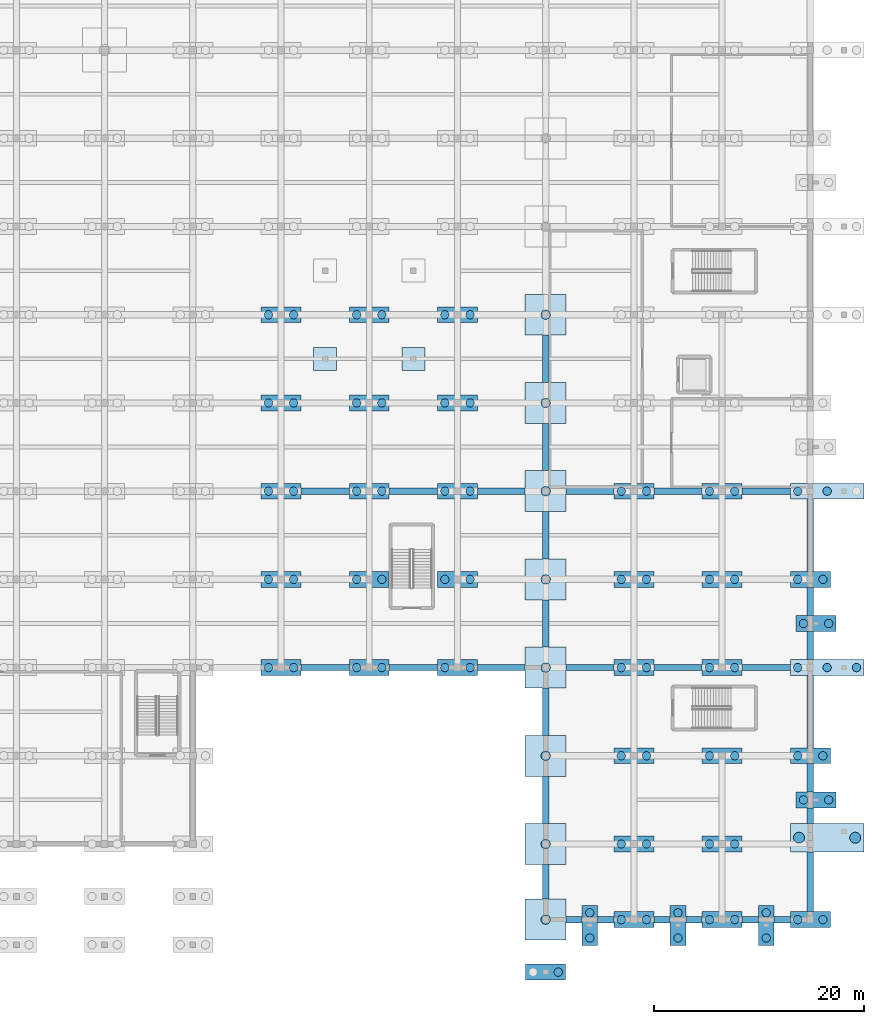
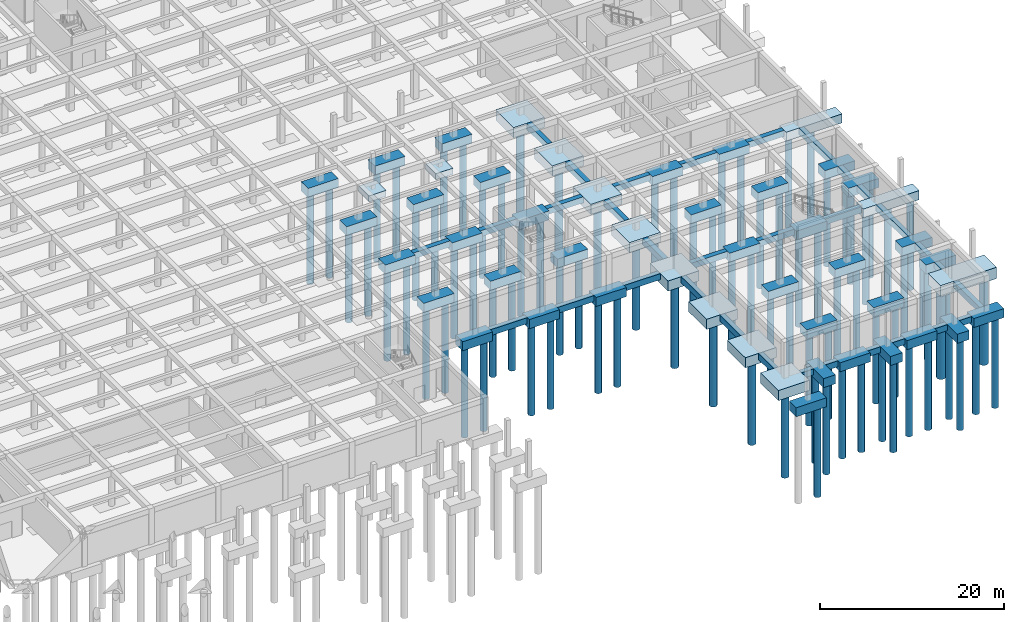
# One storey, part 5 of 51: 86 piles, 81 footings.
"""IFC4 building model written with IfcOpenShell, lengths in metres."""

import ifcopenshell
import ifcopenshell.guid

model = None  # the IFC model being written
_history = None  # IfcOwnerHistory: only IFC2X3 demands one
_inside = {}  # id of a spatial element -> (the spatial element, [elements in it])
_under = {}  # id of a project, library or spatial element -> (it, [spatial elements below it])
_declared = {}  # id of a project -> (the project, [libraries it declares])
_typed = {}  # id of a type object -> (the type object, [elements of that type])
_made_of = {}  # id of a material, layer set ... -> (it, [elements and type objects made of it])


def new_model(schema):
    """Start an empty IFC model of exactly this schema.

    Asked for "IFC4X3", IfcOpenShell would pick the latest addendum, in which some entities
    have other attributes; the version numbers below select the first issue.
    IFC2X3 requires an IfcOwnerHistory on every rooted entity: one is made here for all.
    """
    global model, _history
    if schema == "IFC4X3":
        model = ifcopenshell.file(schema_version=(4, 3, 0, 0))
    else:
        model = ifcopenshell.file(schema=schema)
    _inside.clear()
    _under.clear()
    _declared.clear()
    _typed.clear()
    _made_of.clear()
    _history = None
    if model.schema == "IFC2X3":
        org = make("IfcOrganization", Name="unknown")
        user = make(
            "IfcPersonAndOrganization",
            ThePerson=make("IfcPerson", FamilyName="unknown"),
            TheOrganization=org,
        )
        app = make(
            "IfcApplication",
            ApplicationDeveloper=org,
            Version="unknown",
            ApplicationFullName="unknown",
            ApplicationIdentifier="unknown",
        )
        _history = make(
            "IfcOwnerHistory",
            OwningUser=user,
            OwningApplication=app,
            ChangeAction="ADDED",
            CreationDate=0,
        )
    return model


def make(cls, **values):
    """One entity of the class cls with the attributes given. An attribute that is None is left unset."""
    return model.create_entity(
        cls, **{name: value for name, value in values.items() if value is not None}
    )


def rooted(cls, **values):
    """An entity with a GlobalId (a new one), such as an element, a storey or a relation."""
    return make(cls, GlobalId=ifcopenshell.guid.new(), OwnerHistory=_history, **values)


def si_unit(unit_type, name, prefix=None):
    """IfcSIUnit, for example si_unit("LENGTHUNIT", "METRE", prefix="MILLI")."""
    return make("IfcSIUnit", UnitType=unit_type, Prefix=prefix, Name=name)


def assignment(units):
    """IfcUnitAssignment: the units of a project."""
    return None if units is None else make("IfcUnitAssignment", Units=units)


def point(xyz):
    """IfcCartesianPoint."""
    return None if xyz is None else make("IfcCartesianPoint", Coordinates=xyz)


def direction(xyz):
    """IfcDirection."""
    return None if xyz is None else make("IfcDirection", DirectionRatios=xyz)


def frame(location, z_axis=None, x_axis=None):
    """IfcAxis2Placement3D, a coordinate frame: its origin and axes. An axis left out is left unset."""
    return make(
        "IfcAxis2Placement3D",
        Location=point(location),
        Axis=direction(z_axis),
        RefDirection=direction(x_axis),
    )


def frame_2d(location, x_axis=None):
    """IfcAxis2Placement2D, a coordinate frame in the plane: its origin and x axis."""
    return make(
        "IfcAxis2Placement2D", Location=point(location), RefDirection=direction(x_axis)
    )


def origin():
    """The frame at (0, 0, 0) with its axes left unset."""
    return frame((0.0, 0.0, 0.0))


def origin_2d():
    """The frame at (0, 0) in the plane with its x axis left unset."""
    return frame_2d((0.0, 0.0))


def place(relative_to, where):
    """IfcLocalPlacement: puts the frame where relative to a parent placement (None: the world)."""
    return make(
        "IfcLocalPlacement", PlacementRelTo=relative_to, RelativePlacement=where
    )


def context(
    kind, dimensions, precision=None, world=None, true_north=None, identifier=None
):
    """IfcGeometricRepresentationContext, for example the 3D "Model" context."""
    return make(
        "IfcGeometricRepresentationContext",
        ContextIdentifier=identifier,
        ContextType=kind,
        CoordinateSpaceDimension=dimensions,
        Precision=precision,
        WorldCoordinateSystem=world,
        TrueNorth=true_north,
    )


def subcontext(parent, identifier, kind, view, scale=None):
    """IfcGeometricRepresentationSubContext, for example "Body" below "Model"."""
    return make(
        "IfcGeometricRepresentationSubContext",
        ContextIdentifier=identifier,
        ContextType=kind,
        ParentContext=parent,
        TargetScale=scale,
        TargetView=view,
    )


def project(units=None, contexts=None):
    """IfcProject with its units and contexts."""
    return rooted(
        "IfcProject",
        Name="project",
        RepresentationContexts=contexts,
        UnitsInContext=assignment(units),
    )


def spatial(cls, under=None, at=None, **own):
    """A site, building, storey or space (cls), placed at a placement, below another one or the project."""
    s = rooted(cls, ObjectPlacement=at, **own)
    if under is not None:
        _under.setdefault(under.id(), (under, []))[1].append(s)
    return s


def profile(cls, at=None, kind="AREA", **sizes):
    """A parametric profile (cls). Its sizes go by their IFC names, for example OverallWidth=200.0."""
    return make(cls, ProfileType=kind, Position=at, **sizes)


def rectangle(**sizes):
    """IfcRectangleProfileDef."""
    return profile("IfcRectangleProfileDef", **sizes)


def circle(**sizes):
    """IfcCircleProfileDef."""
    return profile("IfcCircleProfileDef", **sizes)


def extrude(swept, where, along, depth):
    """IfcExtrudedAreaSolid: the profile swept, set in the frame where, extruded along a direction by depth."""
    return make(
        "IfcExtrudedAreaSolid",
        SweptArea=swept,
        Position=where,
        ExtrudedDirection=direction(along),
        Depth=depth,
    )


def shape(context_of_items, identifier, shape_type, items):
    """IfcShapeRepresentation: the items that make up one representation, for example the "Body"."""
    return make(
        "IfcShapeRepresentation",
        ContextOfItems=context_of_items,
        RepresentationIdentifier=identifier,
        RepresentationType=shape_type,
        Items=items,
    )


def material(Name=None, Category=None):
    """IfcMaterial."""
    return make("IfcMaterial", Name=Name, Category=Category)


def material_profile(
    of_material, cross_section, Name=None, Category=None, Priority=None
):
    """IfcMaterialProfile: a cross section and its material."""
    return make(
        "IfcMaterialProfile",
        Name=Name,
        Material=of_material,
        Profile=cross_section,
        Priority=Priority,
        Category=Category,
    )


def profile_set(profiles, Name=None, composite=None):
    """IfcMaterialProfileSet."""
    return make(
        "IfcMaterialProfileSet",
        Name=Name,
        MaterialProfiles=profiles,
        CompositeProfile=composite,
    )


def made_of(thing, what):
    """Note that an element or type object is made of a material, layer set ...; save() writes the relation."""
    if what is not None:
        _made_of.setdefault(what.id(), (what, []))[1].append(thing)
    return thing


def type_object(cls, material=None, **own):
    """A type object (cls), such as IfcWallType, which elements share."""
    return made_of(rooted(cls, **own), material)


def element(
    cls,
    number,
    at=None,
    inside=None,
    cuts=None,
    type_object=None,
    material=None,
    context=None,
    identifier="Body",
    shape_type=None,
    held_by="IfcProductDefinitionShape",
    body=None,
    shapes=None,
    **own,
):
    """One element of the class cls, such as IfcWall. Its Tag is "e" and its number.

    at: its placement. inside: the storey or other place that contains it. cuts: it is an
    opening in that element (IfcRelVoidsElement). A single representation is given by context,
    identifier, shape_type and body (its items); several are given by shapes. held_by: the class
    of the entity that holds the representations. save() writes the other relations.
    """
    e = rooted(cls, Tag="e%d" % number, ObjectPlacement=at, **own)
    if body is not None:
        shapes = [shape(context, identifier, shape_type, body)]
    if shapes is not None:
        e.Representation = make(held_by, Representations=shapes)
    if inside is not None:
        _inside.setdefault(inside.id(), (inside, []))[1].append(e)
    if cuts is not None:
        rooted(
            "IfcRelVoidsElement", RelatingBuildingElement=cuts, RelatedOpeningElement=e
        )
    if type_object is not None:
        _typed.setdefault(type_object.id(), (type_object, []))[1].append(e)
    return made_of(e, material)


def aggregate(whole, parts):
    """IfcRelAggregates: a whole, such as a stair, and the parts it consists of."""
    return rooted("IfcRelAggregates", RelatingObject=whole, RelatedObjects=parts)


def save(model, path):
    """Write the relations noted so far, then the file.

    IfcRelAggregates (storeys below a building ...), IfcRelContainedInSpatialStructure (elements
    in a storey), IfcRelDefinesByType, IfcRelAssociatesMaterial and IfcRelDeclares: one each for
    every whole, place, type object, material and project.
    """
    for whole, parts in _under.values():
        aggregate(whole, parts)
    for where, things in _inside.values():
        rooted(
            "IfcRelContainedInSpatialStructure",
            RelatedElements=things,
            RelatingStructure=where,
        )
    for kind, things in _typed.values():
        rooted("IfcRelDefinesByType", RelatedObjects=things, RelatingType=kind)
    for what, things in _made_of.values():
        rooted("IfcRelAssociatesMaterial", RelatedObjects=things, RelatingMaterial=what)
    for by, libraries in _declared.values():
        rooted("IfcRelDeclares", RelatingContext=by, RelatedDefinitions=libraries)
    model.write(path)


model = new_model("IFC4")

# Units and contexts
model_context = context("Model", 3, precision=1e-05, world=origin(), true_north=direction((0.0, 1.0)))
body_context = subcontext(model_context, "Body", "Model", "MODEL_VIEW")
ifc_project = project(units=[si_unit("LENGTHUNIT", "METRE"), si_unit("AREAUNIT", "SQUARE_METRE"), si_unit("VOLUMEUNIT", "CUBIC_METRE"), si_unit("PLANEANGLEUNIT", "RADIAN"), si_unit("MASSUNIT", "GRAM", prefix="KILO")], contexts=[model_context])

# Site, building, storey
site_placement = place(None, origin())
site = spatial("IfcSite", under=ifc_project, at=site_placement, CompositionType="ELEMENT")
building_placement = place(site_placement, origin())
building = spatial("IfcBuilding", under=site, at=building_placement, Name="Varncliffe General Hospital", CompositionType="ELEMENT")
storey_placement = place(building_placement, frame((0.0, 0.0, -4.800048828125)))
storey = spatial("IfcBuildingStorey", under=building, at=storey_placement, Name="B1", CompositionType="ELEMENT", Elevation=-4.800048828125)

# Piles
ifc_material = material(Name="Concrete C40/50 (CSA A23.1 40 MPa)", Category="concrete")
ifc_material_profile_1 = material_profile(ifc_material, circle(Radius=0.39990234375, at=origin_2d()), Name="BORED PILE 800")
ifc_profile_set_1 = profile_set([ifc_material_profile_1], Name="Concrete C40/50 (CSA A23.1 40 MPa)")
pile_type_1 = type_object("IfcPileType", Name="Bored Caisson Pile P13 (BORED PILE 800)", PredefinedType="BORED", material=ifc_profile_set_1)
for number, where, z_axis, x_axis, name in (
    (1, (152.39990234375, -5.0, -1.050048828125), (0.0, 0.0, -1.0), (1.0, 0.0, 0.0), "B1 Bored Pile P13 (PC-B1-003-2)"),
    (2, (155.39990234375, -1.75, -1.050048828125), (0.0, 0.0, -1.0), (1.0, 0.0, 0.0), "B1 Bored Pile P13 (PC-B1-011-1)"),
    (3, (155.39990234375, 0.64990234375, -1.050048828125), (0.0, 0.0, -1.0), (1.0, 0.0, 0.0), "B1 Bored Pile P13 (PC-B1-011-2)"),
    (4, (163.800048828125, -1.75, -1.050048828125), (0.0, 0.0, -1.0), (1.0, 0.0, 0.0), "B1 Bored Pile P13 (PC-B1-012-1)"),
    (5, (163.800048828125, 0.64990234375, -1.050048828125), (0.0, 0.0, -1.0), (1.0, 0.0, 0.0), "B1 Bored Pile P13 (PC-B1-012-2)"),
    (6, (172.199951171875, -1.75, -1.050048828125), (0.0, 0.0, -1.0), (1.0, 0.0, 0.0), "B1 Bored Pile P13 (PC-B1-013-1)"),
    (7, (172.199951171875, 0.64990234375, -1.050048828125), (0.0, 0.0, -1.0), (1.0, 0.0, 0.0), "B1 Bored Pile P13 (PC-B1-013-2)"),
    (8, (158.39990234375, 0.0, -1.050048828125), (0.0, 0.0, -1.0), (1.0, 0.0, 0.0), "B1 Bored Pile P13 (PC-B1-018-1)"),
    (9, (160.800048828125, 0.0, -1.050048828125), (0.0, 0.0, -1.0), (1.0, 0.0, 0.0), "B1 Bored Pile P13 (PC-B1-018-2)"),
    (10, (166.800048828125, 0.0, -1.050048828125), (0.0, 0.0, -1.0), (1.0, 0.0, 0.0), "B1 Bored Pile P13 (PC-B1-019-1)"),
    (11, (169.199951171875, 0.0, -1.050048828125), (0.0, 0.0, -1.0), (1.0, 0.0, 0.0), "B1 Bored Pile P13 (PC-B1-019-2)"),
    (12, (175.199951171875, 0.0, -1.050048828125), (0.0, 0.0, -1.0), (1.0, 0.0, 0.0), "B1 Bored Pile P13 (PC-B1-020-1)"),
    (13, (177.60009765625, 0.0, -1.050048828125), (0.0, 0.0, -1.0), (1.0, 0.0, 0.0), "B1 Bored Pile P13 (PC-B1-020-2)"),
    (14, (158.39990234375, 7.199951171875, -1.050048828125), (0.0, 0.0, -1.0), (1.0, 0.0, 0.0), "B1 Bored Pile P13 (PC-B1-042-1)"),
    (15, (160.800048828125, 7.199951171875, -1.050048828125), (0.0, 0.0, -1.0), (1.0, 0.0, 0.0), "B1 Bored Pile P13 (PC-B1-042-2)"),
    (16, (166.800048828125, 7.199951171875, -1.050048828125), (0.0, 0.0, -1.0), (1.0, 0.0, 0.0), "B1 Bored Pile P13 (PC-B1-043-1)"),
    (17, (169.199951171875, 7.199951171875, -1.050048828125), (0.0, 0.0, -1.0), (1.0, 0.0, 0.0), "B1 Bored Pile P13 (PC-B1-043-2)"),
    (18, (175.75, 11.39990234375, -1.050048828125), (0.0, 0.0, -1.0), (1.0, 0.0, 0.0), "B1 Bored Pile P13 (PC-B1-046-1)"),
    (19, (178.14990234375, 11.39990234375, -1.050048828125), (0.0, 0.0, -1.0), (1.0, 0.0, 0.0), "B1 Bored Pile P13 (PC-B1-046-2)"),
    (20, (158.39990234375, 15.60009765625, -1.050048828125), (0.0, 0.0, -1.0), (1.0, 0.0, 0.0), "B1 Bored Pile P13 (PC-B1-060-1)"),
    (21, (160.800048828125, 15.60009765625, -1.050048828125), (0.0, 0.0, -1.0), (1.0, 0.0, 0.0), "B1 Bored Pile P13 (PC-B1-060-2)"),
    (22, (166.800048828125, 15.60009765625, -1.050048828125), (0.0, 0.0, -1.0), (1.0, 0.0, 0.0), "B1 Bored Pile P13 (PC-B1-061-1)"),
    (23, (169.199951171875, 15.60009765625, -1.050048828125), (0.0, 0.0, -1.0), (1.0, 0.0, 0.0), "B1 Bored Pile P13 (PC-B1-061-2)"),
    (24, (175.199951171875, 15.60009765625, -1.050048828125), (0.0, 0.0, -1.0), (1.0, 0.0, 0.0), "B1 Bored Pile P13 (PC-B1-062-1)"),
    (25, (177.60009765625, 15.60009765625, -1.050048828125), (0.0, 0.0, -1.0), (1.0, 0.0, 0.0), "B1 Bored Pile P13 (PC-B1-062-2)"),
    (26, (124.800048828125, 24.0, -1.050048828125), (0.0, 0.0, -1.0), (1.0, 0.0, 0.0), "B1 Bored Pile P13 (PC-B1-079-1)"),
    (27, (127.199951171875, 24.0, -1.050048828125), (0.0, 0.0, -1.0), (1.0, 0.0, 0.0), "B1 Bored Pile P13 (PC-B1-079-2)"),
    (28, (133.199951171875, 24.0, -1.050048828125), (0.0, 0.0, -1.0), (1.0, 0.0, 0.0), "B1 Bored Pile P13 (PC-B1-080-1)"),
    (29, (135.60009765625, 24.0, -1.050048828125), (0.0, 0.0, -1.0), (1.0, 0.0, 0.0), "B1 Bored Pile P13 (PC-B1-080-2)"),
    (30, (141.60009765625, 24.0, -1.050048828125), (0.0, 0.0, -1.0), (1.0, 0.0, 0.0), "B1 Bored Pile P13 (PC-B1-081-1)"),
    (31, (144.0, 24.0, -1.050048828125), (0.0, 0.0, -1.0), (1.0, 0.0, 0.0), "B1 Bored Pile P13 (PC-B1-081-2)"),
    (32, (158.39990234375, 24.0, -1.050048828125), (0.0, 0.0, -1.0), (1.0, 0.0, 0.0), "B1 Bored Pile P13 (PC-B1-082-1)"),
    (33, (160.800048828125, 24.0, -1.050048828125), (0.0, 0.0, -1.0), (1.0, 0.0, 0.0), "B1 Bored Pile P13 (PC-B1-082-2)"),
    (34, (166.800048828125, 24.0, -1.050048828125), (0.0, 0.0, -1.0), (1.0, 0.0, 0.0), "B1 Bored Pile P13 (PC-B1-083-1)"),
    (35, (169.199951171875, 24.0, -1.050048828125), (0.0, 0.0, -1.0), (1.0, 0.0, 0.0), "B1 Bored Pile P13 (PC-B1-083-2)"),
    (36, (175.199951171875, 24.0, -1.050048828125), (0.0, 0.0, -1.0), (1.0, 0.0, 0.0), "B1 Bored Pile P13 (PC-B1-084-1)"),
    (37, (178.0, 24.0, -1.050048828125), (0.0, 0.0, -1.0), (1.0, 0.0, 0.0), "B1 Bored Pile P13 (PC-B1-084-2)"),
    (38, (180.800048828125, 24.0, -1.050048828125), (0.0, 0.0, -1.0), (1.0, 0.0, 0.0), "B1 Bored Pile P13 (PC-B1-084-3)"),
    (39, (175.75, 28.199951171875, -1.050048828125), (0.0, 0.0, -1.0), (1.0, 0.0, 0.0), "B1 Bored Pile P13 (PC-B1-086-1)"),
    (40, (178.14990234375, 28.199951171875, -1.050048828125), (0.0, 0.0, -1.0), (1.0, 0.0, 0.0), "B1 Bored Pile P13 (PC-B1-086-2)"),
    (41, (124.800048828125, 32.39990234375, -1.050048828125), (0.0, 0.0, -1.0), (1.0, 0.0, 0.0), "B1 Bored Pile P13 (PC-B1-103-1)"),
    (42, (127.199951171875, 32.39990234375, -1.050048828125), (0.0, 0.0, -1.0), (1.0, 0.0, 0.0), "B1 Bored Pile P13 (PC-B1-103-2)"),
    (43, (133.199951171875, 32.39990234375, -1.050048828125), (0.0, 0.0, -1.0), (1.0, 0.0, 0.0), "B1 Bored Pile P13 (PC-B1-104-1)"),
    (44, (135.60009765625, 32.39990234375, -1.050048828125), (0.0, 0.0, -1.0), (1.0, 0.0, 0.0), "B1 Bored Pile P13 (PC-B1-104-2)"),
    (45, (141.60009765625, 32.39990234375, -1.050048828125), (0.0, 0.0, -1.0), (1.0, 0.0, 0.0), "B1 Bored Pile P13 (PC-B1-105-1)"),
    (46, (144.0, 32.39990234375, -1.050048828125), (0.0, 0.0, -1.0), (1.0, 0.0, 0.0), "B1 Bored Pile P13 (PC-B1-105-2)"),
    (47, (158.39990234375, 32.39990234375, -1.050048828125), (0.0, 0.0, -1.0), (1.0, 0.0, 0.0), "B1 Bored Pile P13 (PC-B1-106-1)"),
    (48, (160.800048828125, 32.39990234375, -1.050048828125), (0.0, 0.0, -1.0), (1.0, 0.0, 0.0), "B1 Bored Pile P13 (PC-B1-106-2)"),
    (49, (166.800048828125, 32.39990234375, -1.050048828125), (0.0, 0.0, -1.0), (1.0, 0.0, 0.0), "B1 Bored Pile P13 (PC-B1-107-1)"),
    (50, (169.199951171875, 32.39990234375, -1.050048828125), (0.0, 0.0, -1.0), (1.0, 0.0, 0.0), "B1 Bored Pile P13 (PC-B1-107-2)"),
    (51, (175.199951171875, 32.39990234375, -1.050048828125), (0.0, 0.0, -1.0), (1.0, 0.0, 0.0), "B1 Bored Pile P13 (PC-B1-108-1)"),
    (52, (177.60009765625, 32.39990234375, -1.050048828125), (0.0, 0.0, -1.0), (1.0, 0.0, 0.0), "B1 Bored Pile P13 (PC-B1-108-2)"),
    (53, (124.800048828125, 40.800048828125, -1.050048828125), (0.0, 0.0, -1.0), (1.0, 0.0, 0.0), "B1 Bored Pile P13 (PC-B1-125-1)"),
    (54, (127.199951171875, 40.800048828125, -1.050048828125), (0.0, 0.0, -1.0), (1.0, 0.0, 0.0), "B1 Bored Pile P13 (PC-B1-125-2)"),
    (55, (133.199951171875, 40.800048828125, -1.050048828125), (0.0, 0.0, -1.0), (1.0, 0.0, 0.0), "B1 Bored Pile P13 (PC-B1-126-1)"),
    (56, (135.60009765625, 40.800048828125, -1.050048828125), (0.0, 0.0, -1.0), (1.0, 0.0, 0.0), "B1 Bored Pile P13 (PC-B1-126-2)"),
    (57, (141.60009765625, 40.800048828125, -1.050048828125), (0.0, 0.0, -1.0), (1.0, 0.0, 0.0), "B1 Bored Pile P13 (PC-B1-127-1)"),
    (58, (144.0, 40.800048828125, -1.050048828125), (0.0, 0.0, -1.0), (1.0, 0.0, 0.0), "B1 Bored Pile P13 (PC-B1-127-2)"),
    (59, (158.39990234375, 40.800048828125, -1.050048828125), (0.0, 0.0, -1.0), (1.0, 0.0, 0.0), "B1 Bored Pile P13 (PC-B1-128-1)"),
    (60, (160.800048828125, 40.800048828125, -1.050048828125), (0.0, 0.0, -1.0), (1.0, 0.0, 0.0), "B1 Bored Pile P13 (PC-B1-128-2)"),
    (61, (166.800048828125, 40.800048828125, -1.050048828125), (0.0, 0.0, -1.0), (1.0, 0.0, 0.0), "B1 Bored Pile P13 (PC-B1-129-1)"),
    (62, (169.199951171875, 40.800048828125, -1.050048828125), (0.0, 0.0, -1.0), (1.0, 0.0, 0.0), "B1 Bored Pile P13 (PC-B1-129-2)"),
    (63, (175.199951171875, 40.800048828125, -1.050048828125), (0.0, 0.0, -1.0), (1.0, 0.0, 0.0), "B1 Bored Pile P13 (PC-B1-130-1)"),
    (64, (178.0, 40.800048828125, -1.050048828125), (0.0, 0.0, -1.0), (1.0, 0.0, 0.0), "B1 Bored Pile P13 (PC-B1-130-2)"),
    (65, (124.800048828125, 49.199951171875, -1.050048828125), (0.0, 0.0, -1.0), (1.0, 0.0, 0.0), "B1 Bored Pile P13 (PC-B1-149-1)"),
    (66, (127.199951171875, 49.199951171875, -1.050048828125), (0.0, 0.0, -1.0), (1.0, 0.0, 0.0), "B1 Bored Pile P13 (PC-B1-149-2)"),
    (67, (133.199951171875, 49.199951171875, -1.050048828125), (0.0, 0.0, -1.0), (1.0, 0.0, 0.0), "B1 Bored Pile P13 (PC-B1-150-1)"),
    (68, (135.60009765625, 49.199951171875, -1.050048828125), (0.0, 0.0, -1.0), (1.0, 0.0, 0.0), "B1 Bored Pile P13 (PC-B1-150-2)"),
    (69, (141.60009765625, 49.199951171875, -1.050048828125), (0.0, 0.0, -1.0), (1.0, 0.0, 0.0), "B1 Bored Pile P13 (PC-B1-151-1)"),
    (70, (144.0, 49.199951171875, -1.050048828125), (0.0, 0.0, -1.0), (1.0, 0.0, 0.0), "B1 Bored Pile P13 (PC-B1-151-2)"),
    (71, (124.800048828125, 57.60009765625, -1.050048828125), (0.0, 0.0, -1.0), (1.0, 0.0, 0.0), "B1 Bored Pile P13 (PC-B1-171-1)"),
    (72, (127.199951171875, 57.60009765625, -1.050048828125), (0.0, 0.0, -1.0), (1.0, 0.0, 0.0), "B1 Bored Pile P13 (PC-B1-171-2)"),
    (73, (133.199951171875, 57.60009765625, -1.050048828125), (0.0, 0.0, -1.0), (1.0, 0.0, 0.0), "B1 Bored Pile P13 (PC-B1-172-1)"),
    (74, (135.60009765625, 57.60009765625, -1.050048828125), (0.0, 0.0, -1.0), (1.0, 0.0, 0.0), "B1 Bored Pile P13 (PC-B1-172-2)"),
    (75, (141.60009765625, 57.60009765625, -1.050048828125), (0.0, 0.0, -1.0), (1.0, 0.0, 0.0), "B1 Bored Pile P13 (PC-B1-173-1)"),
    (76, (144.0, 57.60009765625, -1.050048828125), (0.0, 0.0, -1.0), (1.0, 0.0, 0.0), "B1 Bored Pile P13 (PC-B1-173-2)"),
):
    element("IfcPile", number, at=place(storey_placement, frame(where, z_axis=z_axis, x_axis=x_axis)), inside=storey, type_object=pile_type_1, Name=name, PredefinedType="BORED", context=body_context, shape_type="SweptSolid", body=[
        extrude(circle(Radius=0.39990234375, at=origin_2d()), origin(), (0.0, 0.0, 1.0), 12.14990234375),
    ])
ifc_material_profile_2 = material_profile(ifc_material, circle(Radius=0.449951171875, at=origin_2d()), Name="BORED PILE 900")
ifc_profile_set_2 = profile_set([ifc_material_profile_2], Name="Concrete C40/50 (CSA A23.1 40 MPa)")
pile_type_2 = type_object("IfcPileType", Name="Bored Caisson Pile P20 (BORED PILE 900)", PredefinedType="BORED", material=ifc_profile_set_2)
for number, where, z_axis, x_axis, name in (
    (77, (151.199951171875, 0.0, -1.199951171875), (0.0, 0.0, -1.0), (1.0, 0.0, 0.0), "B1 Bored Pile P20 (PC-B1-010-1)"),
    (78, (151.199951171875, 7.199951171875, -1.199951171875), (0.0, 0.0, -1.0), (1.0, 0.0, 0.0), "B1 Bored Pile P20 (PC-B1-029-1)"),
    (79, (151.199951171875, 15.60009765625, -1.199951171875), (0.0, 0.0, -1.0), (1.0, 0.0, 0.0), "B1 Bored Pile P20 (PC-B1-047-1)"),
    (80, (151.199951171875, 24.0, -1.199951171875), (0.0, 0.0, -1.0), (1.0, 0.0, 0.0), "B1 Bored Pile P20 (PC-B1-063-1)"),
    (81, (151.199951171875, 32.39990234375, -1.199951171875), (0.0, 0.0, -1.0), (1.0, 0.0, 0.0), "B1 Bored Pile P20 (PC-B1-087-1)"),
    (82, (151.199951171875, 40.800048828125, -1.199951171875), (0.0, 0.0, -1.0), (1.0, 0.0, 0.0), "B1 Bored Pile P20 (PC-B1-109-1)"),
    (83, (151.199951171875, 49.199951171875, -1.199951171875), (0.0, 0.0, -1.0), (1.0, 0.0, 0.0), "B1 Bored Pile P20 (PC-B1-134-1)"),
    (84, (151.199951171875, 57.60009765625, -1.199951171875), (0.0, 0.0, -1.0), (1.0, 0.0, 0.0), "B1 Bored Pile P20 (PC-B1-156-1)"),
):
    element("IfcPile", number, at=place(storey_placement, frame(where, z_axis=z_axis, x_axis=x_axis)), inside=storey, type_object=pile_type_2, Name=name, PredefinedType="BORED", context=body_context, shape_type="SweptSolid", body=[
        extrude(circle(Radius=0.449951171875, at=origin_2d()), origin(), (0.0, 0.0, 1.0), 12.0),
    ])
ifc_material_profile_3 = material_profile(ifc_material, circle(Radius=0.52490234375, at=origin_2d()), Name="BORED PILE 1050")
ifc_profile_set_3 = profile_set([ifc_material_profile_3], Name="Concrete C40/50 (CSA A23.1 40 MPa)")
pile_type_3 = type_object("IfcPileType", Name="Bored Caisson Pile P22 (BORED PILE 1050)", PredefinedType="BORED", material=ifc_profile_set_3)
for number, where, z_axis, x_axis, name in (
    (85, (175.324951171875, 7.800048828125, -1.349853515625), (0.0, 0.0, -1.0), (1.0, 0.0, 0.0), "B1 Bored Pile P22 (PC-B1-044-1)"),
    (86, (180.675048828125, 7.800048828125, -1.349853515625), (0.0, 0.0, -1.0), (1.0, 0.0, 0.0), "B1 Bored Pile P22 (PC-B1-044-2)"),
):
    element("IfcPile", number, at=place(storey_placement, frame(where, z_axis=z_axis, x_axis=x_axis)), inside=storey, type_object=pile_type_3, Name=name, PredefinedType="BORED", context=body_context, shape_type="SweptSolid", body=[
        extrude(circle(Radius=0.52490234375, at=origin_2d()), origin(), (0.0, 0.0, 1.0), 11.85009765625),
    ])

# Footings
footing_type_1 = type_object("IfcFootingType", Name="Pile Cap PC17 (3800x1500x1200)", PredefinedType="PILE_CAP", material=ifc_material)
footing_1_placement = place(storey_placement, frame((151.199951171875, -5.0, -1.19970703125), z_axis=(0.0, 0.0, 1.0), x_axis=(1.0, 0.0, 0.0)))
element("IfcFooting", 87, at=footing_1_placement, inside=storey, type_object=footing_type_1, Name="B1 Pile Cap PC17 #3", PredefinedType="PILE_CAP", context=body_context, shape_type="SweptSolid", body=[
    extrude(rectangle(XDim=3.800048828125, YDim=1.5, at=origin_2d()), origin(), (0.0, 0.0, 1.0), 1.199951171875),
])
for number, where, z_axis, x_axis, name in (
    (88, (155.39990234375, -0.550048828125, -1.19970703125), (0.0, 0.0, 1.0), (1.0, 0.0, 0.0), "B1 Pile Cap PC17 #11"),
    (89, (163.800048828125, -0.550048828125, -1.19970703125), (0.0, 0.0, 1.0), (1.0, 0.0, 0.0), "B1 Pile Cap PC17 #12"),
    (90, (172.199951171875, -0.550048828125, -1.19970703125), (0.0, 0.0, 1.0), (1.0, 0.0, 0.0), "B1 Pile Cap PC17 #13"),
):
    element("IfcFooting", number, at=place(storey_placement, frame(where, z_axis=z_axis, x_axis=x_axis)), inside=storey, type_object=footing_type_1, Name=name, PredefinedType="PILE_CAP", context=body_context, shape_type="SweptSolid", body=[
        extrude(rectangle(XDim=1.5, YDim=3.800048828125, at=origin_2d()), origin(), (0.0, 0.0, 1.0), 1.199951171875),
    ])
for number, where, z_axis, x_axis, name in (
    (91, (159.60009765625, 0.0, -1.19970703125), (0.0, 0.0, 1.0), (1.0, 0.0, 0.0), "B1 Pile Cap PC17 #18"),
    (92, (168.0, 0.0, -1.19970703125), (0.0, 0.0, 1.0), (1.0, 0.0, 0.0), "B1 Pile Cap PC17 #19"),
    (93, (176.39990234375, 0.0, -1.19970703125), (0.0, 0.0, 1.0), (1.0, 0.0, 0.0), "B1 Pile Cap PC17 #20"),
    (94, (159.60009765625, 7.199951171875, -1.19970703125), (0.0, 0.0, 1.0), (1.0, 0.0, 0.0), "B1 Pile Cap PC17 #42"),
    (95, (168.0, 7.199951171875, -1.19970703125), (0.0, 0.0, 1.0), (1.0, 0.0, 0.0), "B1 Pile Cap PC17 #43"),
    (96, (176.949951171875, 11.39990234375, -1.19970703125), (0.0, 0.0, 1.0), (1.0, 0.0, 0.0), "B1 Pile Cap PC17 #46"),
    (97, (159.60009765625, 15.60009765625, -1.19970703125), (0.0, 0.0, 1.0), (1.0, 0.0, 0.0), "B1 Pile Cap PC17 #60"),
    (98, (168.0, 15.60009765625, -1.19970703125), (0.0, 0.0, 1.0), (1.0, 0.0, 0.0), "B1 Pile Cap PC17 #61"),
    (99, (176.39990234375, 15.60009765625, -1.19970703125), (0.0, 0.0, 1.0), (1.0, 0.0, 0.0), "B1 Pile Cap PC17 #62"),
    (100, (126.0, 24.0, -1.19970703125), (0.0, 0.0, 1.0), (1.0, 0.0, 0.0), "B1 Pile Cap PC17 #79"),
    (101, (134.39990234375, 24.0, -1.19970703125), (0.0, 0.0, 1.0), (1.0, 0.0, 0.0), "B1 Pile Cap PC17 #80"),
    (102, (142.800048828125, 24.0, -1.19970703125), (0.0, 0.0, 1.0), (1.0, 0.0, 0.0), "B1 Pile Cap PC17 #81"),
    (103, (159.60009765625, 24.0, -1.19970703125), (0.0, 0.0, 1.0), (1.0, 0.0, 0.0), "B1 Pile Cap PC17 #82"),
    (104, (168.0, 24.0, -1.19970703125), (0.0, 0.0, 1.0), (1.0, 0.0, 0.0), "B1 Pile Cap PC17 #83"),
    (105, (176.949951171875, 28.199951171875, -1.19970703125), (0.0, 0.0, 1.0), (1.0, 0.0, 0.0), "B1 Pile Cap PC17 #86"),
    (106, (126.0, 32.39990234375, -1.19970703125), (0.0, 0.0, 1.0), (1.0, 0.0, 0.0), "B1 Pile Cap PC17 #103"),
    (107, (134.39990234375, 32.39990234375, -1.19970703125), (0.0, 0.0, 1.0), (1.0, 0.0, 0.0), "B1 Pile Cap PC17 #104"),
    (108, (142.800048828125, 32.39990234375, -1.19970703125), (0.0, 0.0, 1.0), (1.0, 0.0, 0.0), "B1 Pile Cap PC17 #105"),
    (109, (159.60009765625, 32.39990234375, -1.19970703125), (0.0, 0.0, 1.0), (1.0, 0.0, 0.0), "B1 Pile Cap PC17 #106"),
    (110, (168.0, 32.39990234375, -1.19970703125), (0.0, 0.0, 1.0), (1.0, 0.0, 0.0), "B1 Pile Cap PC17 #107"),
    (111, (176.39990234375, 32.39990234375, -1.19970703125), (0.0, 0.0, 1.0), (1.0, 0.0, 0.0), "B1 Pile Cap PC17 #108"),
    (112, (126.0, 40.800048828125, -1.19970703125), (0.0, 0.0, 1.0), (1.0, 0.0, 0.0), "B1 Pile Cap PC17 #125"),
    (113, (134.39990234375, 40.800048828125, -1.19970703125), (0.0, 0.0, 1.0), (1.0, 0.0, 0.0), "B1 Pile Cap PC17 #126"),
    (114, (142.800048828125, 40.800048828125, -1.19970703125), (0.0, 0.0, 1.0), (1.0, 0.0, 0.0), "B1 Pile Cap PC17 #127"),
    (115, (159.60009765625, 40.800048828125, -1.19970703125), (0.0, 0.0, 1.0), (1.0, 0.0, 0.0), "B1 Pile Cap PC17 #128"),
    (116, (168.0, 40.800048828125, -1.19970703125), (0.0, 0.0, 1.0), (1.0, 0.0, 0.0), "B1 Pile Cap PC17 #129"),
    (117, (126.0, 49.199951171875, -1.19970703125), (0.0, 0.0, 1.0), (1.0, 0.0, 0.0), "B1 Pile Cap PC17 #149"),
    (118, (134.39990234375, 49.199951171875, -1.19970703125), (0.0, 0.0, 1.0), (1.0, 0.0, 0.0), "B1 Pile Cap PC17 #150"),
    (119, (142.800048828125, 49.199951171875, -1.19970703125), (0.0, 0.0, 1.0), (1.0, 0.0, 0.0), "B1 Pile Cap PC17 #151"),
    (120, (126.0, 57.60009765625, -1.19970703125), (0.0, 0.0, 1.0), (1.0, 0.0, 0.0), "B1 Pile Cap PC17 #171"),
    (121, (134.39990234375, 57.60009765625, -1.19970703125), (0.0, 0.0, 1.0), (1.0, 0.0, 0.0), "B1 Pile Cap PC17 #172"),
    (122, (142.800048828125, 57.60009765625, -1.19970703125), (0.0, 0.0, 1.0), (1.0, 0.0, 0.0), "B1 Pile Cap PC17 #173"),
):
    element("IfcFooting", number, at=place(storey_placement, frame(where, z_axis=z_axis, x_axis=x_axis)), inside=storey, type_object=footing_type_1, Name=name, PredefinedType="PILE_CAP", context=body_context, shape_type="SweptSolid", body=[
        extrude(rectangle(XDim=3.800048828125, YDim=1.5, at=origin_2d()), origin(), (0.0, 0.0, 1.0), 1.199951171875),
    ])
footing_type_2 = type_object("IfcFootingType", Name="Pile Cap PC47 (7000x2700x1500)", PredefinedType="PILE_CAP", material=ifc_material)
footing_2_placement = place(storey_placement, frame((178.0, 7.800048828125, -1.5), z_axis=(0.0, 0.0, 1.0), x_axis=(1.0, 0.0, 0.0)))
element("IfcFooting", 123, at=footing_2_placement, inside=storey, type_object=footing_type_2, Name="B1 Pile Cap PC47 #44", PredefinedType="PILE_CAP", context=body_context, shape_type="SweptSolid", body=[
    extrude(rectangle(XDim=7.0, YDim=2.699951171875, at=origin_2d()), origin(), (0.0, 0.0, 1.0), 1.5),
])
footing_type_3 = type_object("IfcFootingType", Name="Pile Cap PC59 (3900x3900x1350)", PredefinedType="PILE_CAP", material=ifc_material)
for number, where, z_axis, x_axis, name in (
    (124, (151.199951171875, 0.0, -1.35009765625), (0.0, 0.0, 1.0), (1.0, 0.0, 0.0), "B1 Pile Cap PC59 #10"),
    (125, (151.199951171875, 7.199951171875, -1.35009765625), (0.0, 0.0, 1.0), (1.0, 0.0, 0.0), "B1 Pile Cap PC59 #29"),
    (126, (151.199951171875, 15.60009765625, -1.35009765625), (0.0, 0.0, 1.0), (1.0, 0.0, 0.0), "B1 Pile Cap PC59 #47"),
    (127, (151.199951171875, 24.0, -1.35009765625), (0.0, 0.0, 1.0), (1.0, 0.0, 0.0), "B1 Pile Cap PC59 #63"),
    (128, (151.199951171875, 32.39990234375, -1.35009765625), (0.0, 0.0, 1.0), (1.0, 0.0, 0.0), "B1 Pile Cap PC59 #87"),
    (129, (151.199951171875, 40.800048828125, -1.35009765625), (0.0, 0.0, 1.0), (1.0, 0.0, 0.0), "B1 Pile Cap PC59 #109"),
    (130, (151.199951171875, 49.199951171875, -1.35009765625), (0.0, 0.0, 1.0), (1.0, 0.0, 0.0), "B1 Pile Cap PC59 #134"),
    (131, (151.199951171875, 57.60009765625, -1.35009765625), (0.0, 0.0, 1.0), (1.0, 0.0, 0.0), "B1 Pile Cap PC59 #156"),
):
    element("IfcFooting", number, at=place(storey_placement, frame(where, z_axis=z_axis, x_axis=x_axis)), inside=storey, type_object=footing_type_3, Name=name, PredefinedType="PILE_CAP", context=body_context, shape_type="SweptSolid", body=[
        extrude(rectangle(XDim=3.89990234375, YDim=3.89990234375, at=origin_2d()), origin(), (0.0, 0.0, 1.0), 1.35009765625),
    ])
footing_type_4 = type_object("IfcFootingType", Name="Pile Cap PC66 (7000x1500x1200)", PredefinedType="PILE_CAP", material=ifc_material)
for number, where, z_axis, x_axis, name in (
    (132, (178.0, 24.0, -1.19970703125), (0.0, 0.0, 1.0), (1.0, 0.0, 0.0), "B1 Pile Cap PC66 #84"),
    (133, (178.0, 40.800048828125, -1.19970703125), (0.0, 0.0, 1.0), (1.0, 0.0, 0.0), "B1 Pile Cap PC66 #130"),
):
    element("IfcFooting", number, at=place(storey_placement, frame(where, z_axis=z_axis, x_axis=x_axis)), inside=storey, type_object=footing_type_4, Name=name, PredefinedType="PILE_CAP", context=body_context, shape_type="SweptSolid", body=[
        extrude(rectangle(XDim=7.0, YDim=1.5, at=origin_2d()), origin(), (0.0, 0.0, 1.0), 1.199951171875),
    ])
footing_type_5 = type_object("IfcFootingType", Name="Seismic Grade Tie Beam FB69 (600x800)", PredefinedType="FOOTING_BEAM", material=ifc_material)
footing_3_placement = place(storey_placement, frame((153.89990234375, 0.0, -0.7998046875), z_axis=(0.0, 0.0, 1.0), x_axis=(1.0, 0.0, 0.0)))
element("IfcFooting", 134, at=footing_3_placement, inside=storey, type_object=footing_type_5, Name="B1 Seismic Footing Tie Beam FB69-4", PredefinedType="FOOTING_BEAM", context=body_context, shape_type="SweptSolid", body=[
    extrude(rectangle(XDim=1.5, YDim=0.60009765625, at=origin_2d()), origin(), (0.0, 0.0, 1.0), 0.800048828125),
])
for number, where, z_axis, x_axis, name in (
    (135, (156.925048828125, 0.0, -0.7998046875), (0.0, 0.0, 1.0), (1.0, 0.0, 0.0), "B1 Seismic Footing Tie Beam FB69-5"),
    (136, (162.27490234375, 0.0, -0.7998046875), (0.0, 0.0, 1.0), (1.0, 0.0, 0.0), "B1 Seismic Footing Tie Beam FB69-6"),
    (137, (165.324951171875, 0.0, -0.7998046875), (0.0, 0.0, 1.0), (1.0, 0.0, 0.0), "B1 Seismic Footing Tie Beam FB69-7"),
    (138, (170.675048828125, 0.0, -0.7998046875), (0.0, 0.0, 1.0), (1.0, 0.0, 0.0), "B1 Seismic Footing Tie Beam FB69-8"),
    (139, (173.72509765625, 0.0, -0.7998046875), (0.0, 0.0, 1.0), (1.0, 0.0, 0.0), "B1 Seismic Footing Tie Beam FB69-9"),
):
    element("IfcFooting", number, at=place(storey_placement, frame(where, z_axis=z_axis, x_axis=x_axis)), inside=storey, type_object=footing_type_5, Name=name, PredefinedType="FOOTING_BEAM", context=body_context, shape_type="SweptSolid", body=[
        extrude(rectangle(XDim=1.550048828125, YDim=0.60009765625, at=origin_2d()), origin(), (0.0, 0.0, 1.0), 0.800048828125),
    ])
for number, where, z_axis, x_axis, name in (
    (140, (130.199951171875, 24.0, -0.7998046875), (0.0, 0.0, 1.0), (1.0, 0.0, 0.0), "B1 Seismic Footing Tie Beam FB69-25"),
    (141, (138.60009765625, 24.0, -0.7998046875), (0.0, 0.0, 1.0), (1.0, 0.0, 0.0), "B1 Seismic Footing Tie Beam FB69-26"),
):
    element("IfcFooting", number, at=place(storey_placement, frame(where, z_axis=z_axis, x_axis=x_axis)), inside=storey, type_object=footing_type_5, Name=name, PredefinedType="FOOTING_BEAM", context=body_context, shape_type="SweptSolid", body=[
        extrude(rectangle(XDim=4.60009765625, YDim=0.60009765625, at=origin_2d()), origin(), (0.0, 0.0, 1.0), 0.800048828125),
    ])
for number, where, z_axis, x_axis, name in (
    (142, (146.97509765625, 24.0, -0.7998046875), (0.0, 0.0, 1.0), (1.0, 0.0, 0.0), "B1 Seismic Footing Tie Beam FB69-27"),
    (143, (155.425048828125, 24.0, -0.7998046875), (0.0, 0.0, 1.0), (1.0, 0.0, 0.0), "B1 Seismic Footing Tie Beam FB69-28"),
):
    element("IfcFooting", number, at=place(storey_placement, frame(where, z_axis=z_axis, x_axis=x_axis)), inside=storey, type_object=footing_type_5, Name=name, PredefinedType="FOOTING_BEAM", context=body_context, shape_type="SweptSolid", body=[
        extrude(rectangle(XDim=4.550048828125, YDim=0.60009765625, at=origin_2d()), origin(), (0.0, 0.0, 1.0), 0.800048828125),
    ])
for number, where, z_axis, x_axis, name in (
    (144, (163.800048828125, 24.0, -0.7998046875), (0.0, 0.0, 1.0), (1.0, 0.0, 0.0), "B1 Seismic Footing Tie Beam FB69-29"),
    (145, (172.199951171875, 24.0, -0.7998046875), (0.0, 0.0, 1.0), (1.0, 0.0, 0.0), "B1 Seismic Footing Tie Beam FB69-30"),
    (146, (130.199951171875, 40.800048828125, -0.7998046875), (0.0, 0.0, 1.0), (1.0, 0.0, 0.0), "B1 Seismic Footing Tie Beam FB69-46"),
    (147, (138.60009765625, 40.800048828125, -0.7998046875), (0.0, 0.0, 1.0), (1.0, 0.0, 0.0), "B1 Seismic Footing Tie Beam FB69-47"),
):
    element("IfcFooting", number, at=place(storey_placement, frame(where, z_axis=z_axis, x_axis=x_axis)), inside=storey, type_object=footing_type_5, Name=name, PredefinedType="FOOTING_BEAM", context=body_context, shape_type="SweptSolid", body=[
        extrude(rectangle(XDim=4.60009765625, YDim=0.60009765625, at=origin_2d()), origin(), (0.0, 0.0, 1.0), 0.800048828125),
    ])
for number, where, z_axis, x_axis, name in (
    (148, (146.97509765625, 40.800048828125, -0.7998046875), (0.0, 0.0, 1.0), (1.0, 0.0, 0.0), "B1 Seismic Footing Tie Beam FB69-48"),
    (149, (155.425048828125, 40.800048828125, -0.7998046875), (0.0, 0.0, 1.0), (1.0, 0.0, 0.0), "B1 Seismic Footing Tie Beam FB69-49"),
):
    element("IfcFooting", number, at=place(storey_placement, frame(where, z_axis=z_axis, x_axis=x_axis)), inside=storey, type_object=footing_type_5, Name=name, PredefinedType="FOOTING_BEAM", context=body_context, shape_type="SweptSolid", body=[
        extrude(rectangle(XDim=4.550048828125, YDim=0.60009765625, at=origin_2d()), origin(), (0.0, 0.0, 1.0), 0.800048828125),
    ])
for number, where, z_axis, x_axis, name in (
    (150, (163.800048828125, 40.800048828125, -0.7998046875), (0.0, 0.0, 1.0), (1.0, 0.0, 0.0), "B1 Seismic Footing Tie Beam FB69-50"),
    (151, (172.199951171875, 40.800048828125, -0.7998046875), (0.0, 0.0, 1.0), (1.0, 0.0, 0.0), "B1 Seismic Footing Tie Beam FB69-51"),
):
    element("IfcFooting", number, at=place(storey_placement, frame(where, z_axis=z_axis, x_axis=x_axis)), inside=storey, type_object=footing_type_5, Name=name, PredefinedType="FOOTING_BEAM", context=body_context, shape_type="SweptSolid", body=[
        extrude(rectangle(XDim=4.60009765625, YDim=0.60009765625, at=origin_2d()), origin(), (0.0, 0.0, 1.0), 0.800048828125),
    ])
footing_4_placement = place(storey_placement, frame((151.199951171875, 3.60009765625, -0.7998046875), z_axis=(0.0, 0.0, 1.0), x_axis=(1.0, 0.0, 0.0)))
element("IfcFooting", 152, at=footing_4_placement, inside=storey, type_object=footing_type_5, Name="B1 Seismic Footing Tie Beam FB69-162", PredefinedType="FOOTING_BEAM", context=body_context, shape_type="SweptSolid", body=[
    extrude(rectangle(XDim=0.60009765625, YDim=3.300048828125, at=origin_2d()), origin(), (0.0, 0.0, 1.0), 0.800048828125),
])
for number, where, z_axis, x_axis, name in (
    (153, (151.199951171875, 11.39990234375, -0.7998046875), (0.0, 0.0, 1.0), (1.0, 0.0, 0.0), "B1 Seismic Footing Tie Beam FB69-163"),
    (154, (151.199951171875, 19.800048828125, -0.7998046875), (0.0, 0.0, 1.0), (1.0, 0.0, 0.0), "B1 Seismic Footing Tie Beam FB69-164"),
    (155, (151.199951171875, 28.199951171875, -0.7998046875), (0.0, 0.0, 1.0), (1.0, 0.0, 0.0), "B1 Seismic Footing Tie Beam FB69-165"),
    (156, (151.199951171875, 36.60009765625, -0.7998046875), (0.0, 0.0, 1.0), (1.0, 0.0, 0.0), "B1 Seismic Footing Tie Beam FB69-166"),
    (157, (151.199951171875, 45.0, -0.7998046875), (0.0, 0.0, 1.0), (1.0, 0.0, 0.0), "B1 Seismic Footing Tie Beam FB69-167"),
    (158, (151.199951171875, 53.39990234375, -0.7998046875), (0.0, 0.0, 1.0), (1.0, 0.0, 0.0), "B1 Seismic Footing Tie Beam FB69-168"),
):
    element("IfcFooting", number, at=place(storey_placement, frame(where, z_axis=z_axis, x_axis=x_axis)), inside=storey, type_object=footing_type_5, Name=name, PredefinedType="FOOTING_BEAM", context=body_context, shape_type="SweptSolid", body=[
        extrude(rectangle(XDim=0.60009765625, YDim=4.5, at=origin_2d()), origin(), (0.0, 0.0, 1.0), 0.800048828125),
    ])
footing_5_placement = place(storey_placement, frame((176.39990234375, 3.60009765625, -0.7998046875), z_axis=(0.0, 0.0, 1.0), x_axis=(1.0, 0.0, 0.0)))
element("IfcFooting", 159, at=footing_5_placement, inside=storey, type_object=footing_type_5, Name="B1 Seismic Footing Tie Beam FB69-176", PredefinedType="FOOTING_BEAM", context=body_context, shape_type="SweptSolid", body=[
    extrude(rectangle(XDim=0.60009765625, YDim=5.699951171875, at=origin_2d()), origin(), (0.0, 0.0, 1.0), 0.800048828125),
])
footing_6_placement = place(storey_placement, frame((176.39990234375, 9.89990234375, -0.7998046875), z_axis=(0.0, 0.0, 1.0), x_axis=(1.0, 0.0, 0.0)))
element("IfcFooting", 160, at=footing_6_placement, inside=storey, type_object=footing_type_5, Name="B1 Seismic Footing Tie Beam FB69-177", PredefinedType="FOOTING_BEAM", context=body_context, shape_type="SweptSolid", body=[
    extrude(rectangle(XDim=0.60009765625, YDim=1.5, at=origin_2d()), origin(), (0.0, 0.0, 1.0), 0.800048828125),
])
footing_7_placement = place(storey_placement, frame((176.39990234375, 13.5, -0.7998046875), z_axis=(0.0, 0.0, 1.0), x_axis=(1.0, 0.0, 0.0)))
element("IfcFooting", 161, at=footing_7_placement, inside=storey, type_object=footing_type_5, Name="B1 Seismic Footing Tie Beam FB69-178", PredefinedType="FOOTING_BEAM", context=body_context, shape_type="SweptSolid", body=[
    extrude(rectangle(XDim=0.60009765625, YDim=2.699951171875, at=origin_2d()), origin(), (0.0, 0.0, 1.0), 0.800048828125),
])
footing_8_placement = place(storey_placement, frame((176.39990234375, 19.800048828125, -0.7998046875), z_axis=(0.0, 0.0, 1.0), x_axis=(1.0, 0.0, 0.0)))
element("IfcFooting", 162, at=footing_8_placement, inside=storey, type_object=footing_type_5, Name="B1 Seismic Footing Tie Beam FB69-179", PredefinedType="FOOTING_BEAM", context=body_context, shape_type="SweptSolid", body=[
    extrude(rectangle(XDim=0.60009765625, YDim=6.89990234375, at=origin_2d()), origin(), (0.0, 0.0, 1.0), 0.800048828125),
])
for number, where, z_axis, x_axis, name in (
    (163, (176.39990234375, 26.10009765625, -0.7998046875), (0.0, 0.0, 1.0), (1.0, 0.0, 0.0), "B1 Seismic Footing Tie Beam FB69-180"),
    (164, (176.39990234375, 30.300048828125, -0.7998046875), (0.0, 0.0, 1.0), (1.0, 0.0, 0.0), "B1 Seismic Footing Tie Beam FB69-181"),
):
    element("IfcFooting", number, at=place(storey_placement, frame(where, z_axis=z_axis, x_axis=x_axis)), inside=storey, type_object=footing_type_5, Name=name, PredefinedType="FOOTING_BEAM", context=body_context, shape_type="SweptSolid", body=[
        extrude(rectangle(XDim=0.60009765625, YDim=2.699951171875, at=origin_2d()), origin(), (0.0, 0.0, 1.0), 0.800048828125),
    ])
footing_9_placement = place(storey_placement, frame((176.39990234375, 36.60009765625, -0.7998046875), z_axis=(0.0, 0.0, 1.0), x_axis=(1.0, 0.0, 0.0)))
element("IfcFooting", 165, at=footing_9_placement, inside=storey, type_object=footing_type_5, Name="B1 Seismic Footing Tie Beam FB69-182", PredefinedType="FOOTING_BEAM", context=body_context, shape_type="SweptSolid", body=[
    extrude(rectangle(XDim=0.60009765625, YDim=6.89990234375, at=origin_2d()), origin(), (0.0, 0.0, 1.0), 0.800048828125),
])
footing_type_6 = type_object("IfcFootingType", Name="Spread Pad Footing PF84 (2200x2200x800)", PredefinedType="PAD_FOOTING", material=ifc_material)
for number, where, z_axis, x_axis, name in (
    (166, (130.199951171875, 53.39990234375, -0.7998046875), (0.0, 0.0, 1.0), (1.0, 0.0, 0.0), "B1 Courtyard Colonnade Pad Footing PF84-5"),
    (167, (138.60009765625, 53.39990234375, -0.7998046875), (0.0, 0.0, 1.0), (1.0, 0.0, 0.0), "B1 Courtyard Colonnade Pad Footing PF84-6"),
):
    element("IfcFooting", number, at=place(storey_placement, frame(where, z_axis=z_axis, x_axis=x_axis)), inside=storey, type_object=footing_type_6, Name=name, PredefinedType="PAD_FOOTING", context=body_context, shape_type="SweptSolid", body=[
        extrude(rectangle(XDim=2.199951171875, YDim=2.199951171875, at=origin_2d()), origin(), (0.0, 0.0, 1.0), 0.800048828125),
    ])

save(model, "model.ifc")
